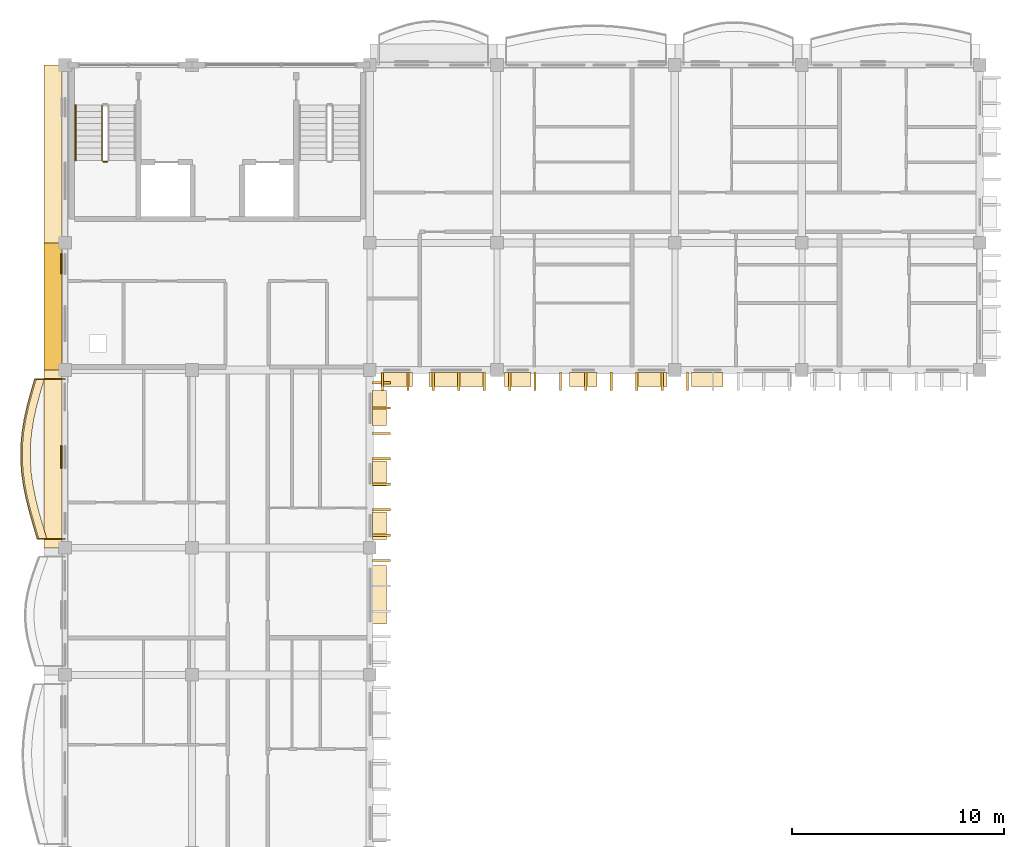
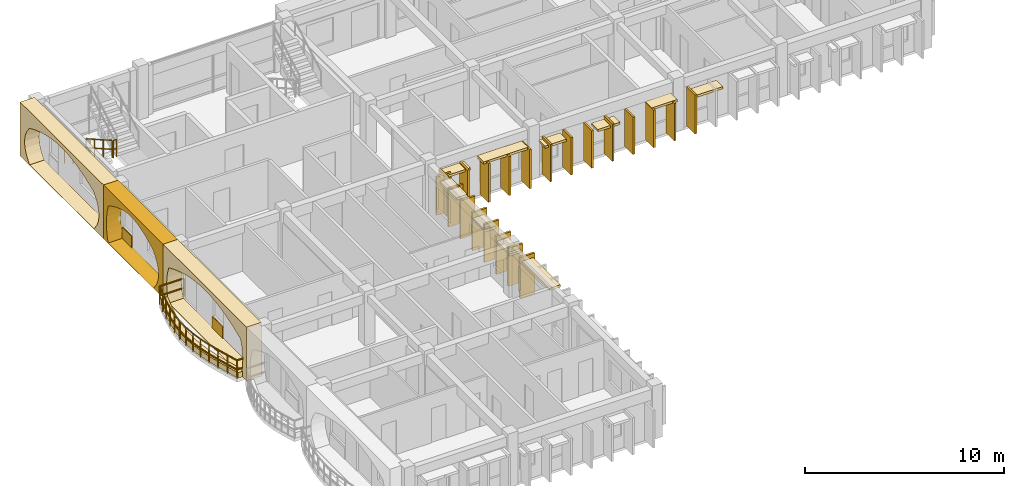
# One storey, part 42 of 59: 37 coverings, 4 railings.
"""IFC4 building model written with IfcOpenShell, lengths in metres."""

from ifc_helpers import new_model, si_unit, direction, frame, origin, origin_2d, place, context, subcontext, project, spatial, polyline, rectangle, outline, extrude, material, layer, layer_set, type_object, element, save


model = new_model("IFC4")

# Units and contexts
model_context = context("Model", 3, precision=1e-05, world=origin(), true_north=direction((0.0, 1.0)))
body_context = subcontext(model_context, "Body", "Model", "MODEL_VIEW")
ifc_project = project(units=[si_unit("LENGTHUNIT", "METRE"), si_unit("AREAUNIT", "SQUARE_METRE"), si_unit("VOLUMEUNIT", "CUBIC_METRE"), si_unit("PLANEANGLEUNIT", "RADIAN"), si_unit("MASSUNIT", "GRAM", prefix="KILO"), si_unit("THERMODYNAMICTEMPERATUREUNIT", "KELVIN")], contexts=[model_context])

# Site, building, storey
site_placement = place(None, origin())
site = spatial("IfcSite", under=ifc_project, at=site_placement, CompositionType="ELEMENT")
building_placement = place(site_placement, origin())
building = spatial("IfcBuilding", under=site, at=building_placement, Name="Thalorik Housing Commons", CompositionType="ELEMENT")
storey_placement = place(building_placement, frame((0.0, 0.0, 27.89990234375)))
storey = spatial("IfcBuildingStorey", under=building, at=storey_placement, Name="L08", CompositionType="ELEMENT", Elevation=27.89990234375)

# Coverings
ifc_material_1 = material(Name="Cobalt blue glazed ceramic facade tile panel", Category="masonry")
ifc_layer_1 = layer(ifc_material_1, 0.06005859375, Name="Cobalt blue glazed ceramic facade tile panel", Category="masonry")
ifc_layer_set_1 = layer_set([ifc_layer_1], Name="Cobalt blue glazed ceramic facade tile panel")
covering_type_1 = type_object("IfcCoveringType", Name="ARC-CLD-BLU-60", PredefinedType="CLADDING", material=ifc_layer_set_1)
covering_1_placement = place(storey_placement, frame((8.235107421875, 114.205078125, 0.05029296875), z_axis=(0.0, 0.0, 1.0), x_axis=(0.0, -1.0, 0.0)))
element("IfcCovering", 1, at=covering_1_placement, inside=storey, type_object=covering_type_1, Name="L08 De Stijl Recessed Window Spandrel 866", PredefinedType="CLADDING", context=body_context, shape_type="SweptSolid", body=[
    extrude(rectangle(XDim=0.949951171875, YDim=0.06005859375, at=origin_2d()), origin(), (0.0, 0.0, 1.0), 0.699951171875),
])
ifc_material_2 = material(Name="Precast concrete C40/50", Category="concrete")
ifc_layer_2 = layer(ifc_material_2, 0.85009765625, Name="Precast concrete C40/50", Category="concrete")
ifc_layer_set_2 = layer_set([ifc_layer_2], Name="Precast concrete C40/50")
covering_type_2 = type_object("IfcCoveringType", Name="ARC-CLD-CUSH-850", PredefinedType="CLADDING", material=ifc_layer_set_2)
covering_2_placement = place(storey_placement, frame((7.844970703125, 119.39990234375, 0.0), z_axis=(0.0, 0.0, 1.0), x_axis=(0.0, -1.0, 0.0)))
element("IfcCovering", 2, at=covering_2_placement, inside=storey, type_object=covering_type_2, Name="L08 White Precast Curved Cushion Bay Frame 863", PredefinedType="CLADDING", context=body_context, shape_type="SweptSolid", body=[
    extrude(outline(polyline([(-4.199951171875, 0.0), (4.199951171875, 0.0), (4.199951171875, 3.300048828125), (-4.199951171875, 3.300048828125), (-4.199951171875, 0.0)]), holes=[polyline([(3.239990234375, 0.02490234375), (3.523193359375, 0.399169921875), (3.693359375, 0.773193359375), (3.75, 1.1474609375), (3.693359375, 1.521728515625), (3.523193359375, 1.895751953125), (3.239990234375, 2.27001953125), (2.699951171875, 2.50439453125), (2.159912109375, 2.6884765625), (1.6201171875, 2.837646484375), (1.080078125, 2.948486328125), (0.5400390625, 3.016845703125), (0.0, 3.0400390625), (-0.5400390625, 3.016845703125), (-1.080078125, 2.948486328125), (-1.6201171875, 2.837646484375), (-2.159912109375, 2.6884765625), (-2.699951171875, 2.50439453125), (-3.239990234375, 2.27001953125), (-3.523193359375, 1.895751953125), (-3.693359375, 1.521728515625), (-3.75, 1.1474609375), (-3.693359375, 0.773193359375), (-3.523193359375, 0.399169921875), (-3.239990234375, 0.02490234375), (3.239990234375, 0.02490234375)])]), frame((0.0, 0.425048828125, 0.0), z_axis=(0.0, -1.0, 0.0), x_axis=(1.0, 0.0, 0.0)), (0.0, 0.0, 1.0), 0.85009765625),
])
covering_3_placement = place(storey_placement, frame((7.844970703125, 112.199951171875, 0.0), z_axis=(0.0, 0.0, 1.0), x_axis=(0.0, -1.0, 0.0)))
element("IfcCovering", 3, at=covering_3_placement, inside=storey, type_object=covering_type_2, Name="L08 White Precast Curved Cushion Bay Frame 865", PredefinedType="CLADDING", context=body_context, shape_type="SweptSolid", body=[
    extrude(outline(polyline([(-3.0, 0.0), (3.0, 0.0), (3.0, 3.300048828125), (-3.0, 3.300048828125), (-3.0, 0.0)]), holes=[polyline([(2.0400390625, 0.02490234375), (2.3232421875, 0.40087890625), (2.493408203125, 0.776611328125), (2.550048828125, 1.152587890625), (2.493408203125, 1.5283203125), (2.3232421875, 1.904296875), (2.0400390625, 2.280029296875), (1.6591796875, 2.51123046875), (1.2783203125, 2.693115234375), (0.8974609375, 2.840087890625), (0.5166015625, 2.94970703125), (0.1357421875, 3.01708984375), (-0.2451171875, 3.0400390625), (-0.625732421875, 3.01708984375), (-1.006591796875, 2.94970703125), (-1.387451171875, 2.840087890625), (-1.768310546875, 2.693115234375), (-2.149169921875, 2.51123046875), (-2.530029296875, 2.280029296875), (-2.629150390625, 1.904296875), (-2.688720703125, 1.5283203125), (-2.70849609375, 1.152587890625), (-2.688720703125, 0.776611328125), (-2.629150390625, 0.40087890625), (-2.530029296875, 0.02490234375), (2.0400390625, 0.02490234375)])]), frame((0.0, 0.425048828125, 0.0), z_axis=(0.0, -1.0, 0.0), x_axis=(1.0, 0.0, 0.0)), (0.0, 0.0, 1.0), 0.85009765625),
])
covering_4_placement = place(storey_placement, frame((7.844970703125, 105.0, 0.0), z_axis=(0.0, 0.0, 1.0), x_axis=(0.0, -1.0, 0.0)))
element("IfcCovering", 4, at=covering_4_placement, inside=storey, type_object=covering_type_2, Name="L08 White Precast Curved Cushion Bay Frame 867", PredefinedType="CLADDING", context=body_context, shape_type="SweptSolid", body=[
    extrude(outline(polyline([(-4.199951171875, 0.0), (4.199951171875, 0.0), (4.199951171875, 3.300048828125), (-4.199951171875, 3.300048828125), (-4.199951171875, 0.0)]), holes=[polyline([(3.58251953125, 0.02490234375), (3.712890625, 0.387451171875), (3.791015625, 0.75), (3.817138671875, 1.112548828125), (3.791015625, 1.47509765625), (3.712890625, 1.83740234375), (3.58251953125, 2.199951171875), (2.9814453125, 2.455810546875), (2.38037109375, 2.656494140625), (1.779296875, 2.819091796875), (1.17822265625, 2.940185546875), (0.577392578125, 3.014892578125), (-0.023681640625, 3.0400390625), (-0.624755859375, 3.014892578125), (-1.225830078125, 2.940185546875), (-1.826904296875, 2.819091796875), (-2.427978515625, 2.656494140625), (-3.029052734375, 2.455810546875), (-3.6298828125, 2.199951171875), (-3.750244140625, 1.83740234375), (-3.822509765625, 1.47509765625), (-3.8466796875, 1.112548828125), (-3.822509765625, 0.75), (-3.750244140625, 0.387451171875), (-3.6298828125, 0.02490234375), (3.58251953125, 0.02490234375)])]), frame((0.0, 0.425048828125, 0.0), z_axis=(0.0, -1.0, 0.0), x_axis=(1.0, 0.0, 0.0)), (0.0, 0.0, 1.0), 0.85009765625),
])
ifc_layer_3 = layer(ifc_material_2, 0.85009765625, Name="Precast concrete C40/50", Category="concrete")
ifc_layer_set_3 = layer_set([ifc_layer_3], Name="Precast concrete C40/50")
covering_type_3 = type_object("IfcCoveringType", Name="ARC-CLD-FIN-850", PredefinedType="CLADDING", material=ifc_layer_set_3)
for number, where, z_axis, x_axis, name in (
    (5, (23.39990234375, 108.64501953125, 0.0400390625), (0.0, 0.0, 1.0), (1.0, 0.0, 0.0), "L08 Courtyard Precast Vertical Brise-Soleil Fin 804"),
    (6, (24.60009765625, 108.64501953125, 0.0400390625), (0.0, 0.0, 1.0), (1.0, 0.0, 0.0), "L08 Courtyard Precast Vertical Brise-Soleil Fin 805"),
    (7, (25.800048828125, 108.64501953125, 0.0400390625), (0.0, 0.0, 1.0), (1.0, 0.0, 0.0), "L08 Courtyard Precast Vertical Brise-Soleil Fin 806"),
    (8, (27.0, 108.64501953125, 0.0400390625), (0.0, 0.0, 1.0), (1.0, 0.0, 0.0), "L08 Courtyard Precast Vertical Brise-Soleil Fin 807"),
    (9, (28.199951171875, 108.64501953125, 0.0400390625), (0.0, 0.0, 1.0), (1.0, 0.0, 0.0), "L08 Courtyard Precast Vertical Brise-Soleil Fin 808"),
):
    element("IfcCovering", number, at=place(storey_placement, frame(where, z_axis=z_axis, x_axis=x_axis)), inside=storey, type_object=covering_type_3, Name=name, PredefinedType="CLADDING", context=body_context, shape_type="SweptSolid", body=[
        extrude(rectangle(XDim=0.110107421875, YDim=0.85009765625, at=origin_2d()), origin(), (0.0, 0.0, 1.0), 2.39501953125),
    ])
for number, where, z_axis, x_axis, name in (
    (10, (29.39990234375, 108.64501953125, 0.0400390625), (0.0, 0.0, 1.0), (1.0, 0.0, 0.0), "L08 Courtyard Precast Vertical Brise-Soleil Fin 811"),
    (11, (30.60009765625, 108.64501953125, 0.0400390625), (0.0, 0.0, 1.0), (1.0, 0.0, 0.0), "L08 Courtyard Precast Vertical Brise-Soleil Fin 812"),
    (12, (31.800048828125, 108.64501953125, 0.0400390625), (0.0, 0.0, 1.0), (1.0, 0.0, 0.0), "L08 Courtyard Precast Vertical Brise-Soleil Fin 813"),
    (13, (33.0, 108.64501953125, 0.0400390625), (0.0, 0.0, 1.0), (1.0, 0.0, 0.0), "L08 Courtyard Precast Vertical Brise-Soleil Fin 814"),
    (14, (34.199951171875, 108.64501953125, 0.0400390625), (0.0, 0.0, 1.0), (1.0, 0.0, 0.0), "L08 Courtyard Precast Vertical Brise-Soleil Fin 815"),
    (15, (35.39990234375, 108.64501953125, 0.0400390625), (0.0, 0.0, 1.0), (1.0, 0.0, 0.0), "L08 Courtyard Precast Vertical Brise-Soleil Fin 816"),
    (16, (36.60009765625, 108.64501953125, 0.0400390625), (0.0, 0.0, 1.0), (1.0, 0.0, 0.0), "L08 Courtyard Precast Vertical Brise-Soleil Fin 817"),
):
    element("IfcCovering", number, at=place(storey_placement, frame(where, z_axis=z_axis, x_axis=x_axis)), inside=storey, type_object=covering_type_3, Name=name, PredefinedType="CLADDING", context=body_context, shape_type="SweptSolid", body=[
        extrude(rectangle(XDim=0.110107421875, YDim=0.85009765625, at=origin_2d()), origin(), (0.0, 0.0, 1.0), 2.294921875),
    ])
covering_5_placement = place(storey_placement, frame((37.800048828125, 108.64501953125, 0.0400390625), z_axis=(0.0, 0.0, 1.0), x_axis=(1.0, 0.0, 0.0)))
element("IfcCovering", 17, at=covering_5_placement, inside=storey, type_object=covering_type_3, Name="L08 Courtyard Precast Vertical Brise-Soleil Fin 821", PredefinedType="CLADDING", context=body_context, shape_type="SweptSolid", body=[
    extrude(rectangle(XDim=0.110107421875, YDim=0.85009765625, at=origin_2d()), origin(), (0.0, 0.0, 1.0), 2.39501953125),
])
covering_6_placement = place(storey_placement, frame((23.35498046875, 100.199951171875, 0.0400390625), z_axis=(0.0, 0.0, 1.0), x_axis=(0.0, 1.0, 0.0)))
element("IfcCovering", 18, at=covering_6_placement, inside=storey, type_object=covering_type_3, Name="L08 Courtyard Precast Vertical Brise-Soleil Fin 904", PredefinedType="CLADDING", context=body_context, shape_type="SweptSolid", body=[
    extrude(rectangle(XDim=0.110107421875, YDim=0.85009765625, at=origin_2d()), origin(), (0.0, 0.0, 1.0), 2.4951171875),
])
for number, where, z_axis, x_axis, name in (
    (19, (23.35498046875, 101.39990234375, 0.0400390625), (0.0, 0.0, 1.0), (0.0, 1.0, 0.0), "L08 Courtyard Precast Vertical Brise-Soleil Fin 907"),
    (20, (23.35498046875, 102.60009765625, 0.0400390625), (0.0, 0.0, 1.0), (0.0, 1.0, 0.0), "L08 Courtyard Precast Vertical Brise-Soleil Fin 908"),
    (21, (23.35498046875, 103.800048828125, 0.0400390625), (0.0, 0.0, 1.0), (0.0, 1.0, 0.0), "L08 Courtyard Precast Vertical Brise-Soleil Fin 909"),
    (22, (23.35498046875, 105.0, 0.0400390625), (0.0, 0.0, 1.0), (0.0, 1.0, 0.0), "L08 Courtyard Precast Vertical Brise-Soleil Fin 910"),
    (23, (23.35498046875, 106.199951171875, 0.0400390625), (0.0, 0.0, 1.0), (0.0, 1.0, 0.0), "L08 Courtyard Precast Vertical Brise-Soleil Fin 911"),
    (24, (23.35498046875, 107.39990234375, 0.0400390625), (0.0, 0.0, 1.0), (0.0, 1.0, 0.0), "L08 Courtyard Precast Vertical Brise-Soleil Fin 912"),
    (25, (23.35498046875, 108.60009765625, 0.0400390625), (0.0, 0.0, 1.0), (0.0, 1.0, 0.0), "L08 Courtyard Precast Vertical Brise-Soleil Fin 913"),
):
    element("IfcCovering", number, at=place(storey_placement, frame(where, z_axis=z_axis, x_axis=x_axis)), inside=storey, type_object=covering_type_3, Name=name, PredefinedType="CLADDING", context=body_context, shape_type="SweptSolid", body=[
        extrude(rectangle(XDim=0.110107421875, YDim=0.85009765625, at=origin_2d()), origin(), (0.0, 0.0, 1.0), 2.344970703125),
    ])
ifc_layer_4 = layer(ifc_material_2, 0.64990234375, Name="Precast concrete C40/50", Category="concrete")
ifc_layer_set_4 = layer_set([ifc_layer_4], Name="Precast concrete C40/50")
covering_type_4 = type_object("IfcCoveringType", Name="ARC-CLD-HOOD-650", PredefinedType="CLADDING", material=ifc_layer_set_4)
covering_7_placement = place(storey_placement, frame((24.070068359375, 108.7451171875, 2.240234375), z_axis=(0.0, 0.0, 1.0), x_axis=(1.0, 0.0, 0.0)))
element("IfcCovering", 26, at=covering_7_placement, inside=storey, type_object=covering_type_4, Name="L08 Courtyard Precast Window Sun-Hood 809", PredefinedType="CLADDING", context=body_context, shape_type="SweptSolid", body=[
    extrude(rectangle(XDim=1.489990234375, YDim=0.64990234375, at=origin_2d()), origin(), (0.0, 0.0, 1.0), 0.139892578125),
])
covering_8_placement = place(storey_placement, frame((26.8798828125, 108.7451171875, 2.3251953125), z_axis=(0.0, 0.0, 1.0), x_axis=(1.0, 0.0, 0.0)))
element("IfcCovering", 27, at=covering_8_placement, inside=storey, type_object=covering_type_4, Name="L08 Courtyard Precast Window Sun-Hood 810", PredefinedType="CLADDING", context=body_context, shape_type="SweptSolid", body=[
    extrude(rectangle(XDim=2.590087890625, YDim=0.64990234375, at=origin_2d()), origin(), (0.0, 0.0, 1.0), 0.139892578125),
])
covering_9_placement = place(storey_placement, frame((29.777587890625, 108.7451171875, 2.0400390625), z_axis=(0.0, 0.0, 1.0), x_axis=(1.0, 0.0, 0.0)))
element("IfcCovering", 28, at=covering_9_placement, inside=storey, type_object=covering_type_4, Name="L08 Courtyard Precast Window Sun-Hood 818", PredefinedType="CLADDING", context=body_context, shape_type="SweptSolid", body=[
    extrude(rectangle(XDim=1.239990234375, YDim=0.64990234375, at=origin_2d()), origin(), (0.0, 0.0, 1.0), 0.139892578125),
])
covering_10_placement = place(storey_placement, frame((32.87255859375, 108.7451171875, 1.990234375), z_axis=(0.0, 0.0, 1.0), x_axis=(1.0, 0.0, 0.0)))
element("IfcCovering", 29, at=covering_10_placement, inside=storey, type_object=covering_type_4, Name="L08 Courtyard Precast Window Sun-Hood 819", PredefinedType="CLADDING", context=body_context, shape_type="SweptSolid", body=[
    extrude(rectangle(XDim=1.2900390625, YDim=0.64990234375, at=origin_2d()), origin(), (0.0, 0.0, 1.0), 0.139892578125),
])
for number, where, z_axis, x_axis, name in (
    (30, (36.094970703125, 108.7451171875, 2.22509765625), (0.0, 0.0, 1.0), (1.0, 0.0, 0.0), "L08 Courtyard Precast Window Sun-Hood 820"),
    (31, (38.735107421875, 108.7451171875, 2.09033203125), (0.0, 0.0, 1.0), (1.0, 0.0, 0.0), "L08 Courtyard Precast Window Sun-Hood 826"),
):
    element("IfcCovering", number, at=place(storey_placement, frame(where, z_axis=z_axis, x_axis=x_axis)), inside=storey, type_object=covering_type_4, Name=name, PredefinedType="CLADDING", context=body_context, shape_type="SweptSolid", body=[
        extrude(rectangle(XDim=1.489990234375, YDim=0.64990234375, at=origin_2d()), origin(), (0.0, 0.0, 1.0), 0.139892578125),
    ])
covering_11_placement = place(storey_placement, frame((23.2548828125, 98.580078125, 2.2900390625), z_axis=(0.0, 0.0, 1.0), x_axis=(0.0, 1.0, 0.0)))
element("IfcCovering", 32, at=covering_11_placement, inside=storey, type_object=covering_type_4, Name="L08 Courtyard Precast Window Sun-Hood 906", PredefinedType="CLADDING", context=body_context, shape_type="SweptSolid", body=[
    extrude(rectangle(XDim=2.760009765625, YDim=0.64990234375, at=origin_2d()), origin(), (0.0, 0.0, 1.0), 0.139892578125),
])
covering_12_placement = place(storey_placement, frame((23.2548828125, 101.839599609375, 1.990234375), z_axis=(0.0, 0.0, 1.0), x_axis=(0.0, 1.0, 0.0)))
element("IfcCovering", 33, at=covering_12_placement, inside=storey, type_object=covering_type_4, Name="L08 Courtyard Precast Window Sun-Hood 914", PredefinedType="CLADDING", context=body_context, shape_type="SweptSolid", body=[
    extrude(rectangle(XDim=1.2900390625, YDim=0.64990234375, at=origin_2d()), origin(), (0.0, 0.0, 1.0), 0.139892578125),
])
covering_13_placement = place(storey_placement, frame((23.2548828125, 104.304443359375, 1.93994140625), z_axis=(0.0, 0.0, 1.0), x_axis=(0.0, 1.0, 0.0)))
element("IfcCovering", 34, at=covering_13_placement, inside=storey, type_object=covering_type_4, Name="L08 Courtyard Precast Window Sun-Hood 915", PredefinedType="CLADDING", context=body_context, shape_type="SweptSolid", body=[
    extrude(rectangle(XDim=1.18994140625, YDim=0.64990234375, at=origin_2d()), origin(), (0.0, 0.0, 1.0), 0.139892578125),
])
covering_14_placement = place(storey_placement, frame((23.2548828125, 107.394775390625, 2.169921875), z_axis=(0.0, 0.0, 1.0), x_axis=(0.0, 1.0, 0.0)))
element("IfcCovering", 35, at=covering_14_placement, inside=storey, type_object=covering_type_4, Name="L08 Courtyard Precast Window Sun-Hood 916", PredefinedType="CLADDING", context=body_context, shape_type="SweptSolid", body=[
    extrude(rectangle(XDim=1.659912109375, YDim=0.64990234375, at=origin_2d()), origin(), (0.0, 0.0, 1.0), 0.139892578125),
])
ifc_material_3 = material(Name="Mineral ochre architectural terracotta panel", Category="masonry")
ifc_layer_5 = layer(ifc_material_3, 0.06494140625, Name="Mineral ochre architectural terracotta panel", Category="masonry")
ifc_layer_set_5 = layer_set([ifc_layer_5], Name="Mineral ochre architectural terracotta panel")
covering_type_5 = type_object("IfcCoveringType", Name="ARC-CLD-YEL-65", PredefinedType="CLADDING", material=ifc_layer_set_5)
covering_15_placement = place(storey_placement, frame((8.232421875, 105.08740234375, 0.05029296875), z_axis=(0.0, 0.0, 1.0), x_axis=(0.0, -1.0, 0.0)))
element("IfcCovering", 36, at=covering_15_placement, inside=storey, type_object=covering_type_5, Name="L08 De Stijl Recessed Window Spandrel 868", PredefinedType="CLADDING", context=body_context, shape_type="SweptSolid", body=[
    extrude(rectangle(XDim=1.050048828125, YDim=0.06494140625, at=origin_2d()), origin(), (0.0, 0.0, 1.0), 0.699951171875),
])
ifc_material_4 = material(Name="Planted vegetated substrate and terracotta trough", Category="masonry")
ifc_layer_6 = layer(ifc_material_4, 0.340087890625, Name="Planted vegetated substrate and terracotta trough", Category="masonry")
ifc_layer_set_6 = layer_set([ifc_layer_6], Name="Planted vegetated substrate and terracotta trough")
covering_type_6 = type_object("IfcCoveringType", Name="ARC-COV-PLANTER", PredefinedType="USERDEFINED", material=ifc_layer_set_6)
covering_16_placement = place(storey_placement, origin())
element("IfcCovering", 37, at=covering_16_placement, inside=storey, type_object=covering_type_6, Name="L08 Balcony Slab-Edge Planted Trough 5377", ObjectType="PLANTER", PredefinedType="USERDEFINED", context=body_context, shape_type="SweptSolid", body=[
    extrude(outline(polyline([(7.0498046875, 108.780029296875), (6.864013671875, 108.14990234375), (6.6953125, 107.52001953125), (6.5546875, 106.889892578125), (6.451904296875, 106.260009765625), (6.39453125, 105.6298828125), (6.385986328125, 105.0), (6.4267578125, 104.3701171875), (6.51416015625, 103.739990234375), (6.64208984375, 103.110107421875), (6.80126953125, 102.47998046875), (6.98095703125, 101.85009765625), (7.16845703125, 101.219970703125), (7.54833984375, 101.219970703125), (7.36083984375, 101.85009765625), (7.18115234375, 102.47998046875), (7.02197265625, 103.110107421875), (6.894287109375, 103.739990234375), (6.806884765625, 104.3701171875), (6.765869140625, 105.0), (6.7744140625, 105.6298828125), (6.83203125, 106.260009765625), (6.9345703125, 106.889892578125), (7.0751953125, 107.52001953125), (7.244140625, 108.14990234375), (7.4296875, 108.780029296875), (7.0498046875, 108.780029296875)])), origin(), (0.0, 0.0, 1.0), 0.340087890625),
])

# Railings
ifc_material_5 = material(Name="Steel S355", Category="steel")
railing_type_1 = type_object("IfcRailingType", Name="ARC-RL-BAL-115", PredefinedType="BALUSTRADE", material=ifc_material_5)
railing_1_placement = place(storey_placement, frame((8.39990234375, 108.780029296875, 0.0)))
element("IfcRailing", 38, at=railing_1_placement, inside=storey, type_object=railing_type_1, Name="L08 Cushion Balcony Guardrail 61", PredefinedType="BALUSTRADE", context=body_context, shape_type="SweptSolid", body=[
    extrude(rectangle(XDim=0.050048828125, YDim=0.050048828125, at=origin_2d()), frame((0.0, 0.0, 1.125), z_axis=(-1.0, 0.0, 0.0), x_axis=(0.0, -1.0, 0.0)), (0.0, 0.0, 1.0), 1.420166015625),
    extrude(rectangle(XDim=0.050048828125, YDim=0.050048828125, at=origin_2d()), frame((0.0, 0.0, 0.5498046875), z_axis=(-1.0, 0.0, 0.0), x_axis=(0.0, -1.0, 0.0)), (0.0, 0.0, 1.0), 1.420166015625),
    extrude(rectangle(XDim=0.050048828125, YDim=0.050048828125, at=origin_2d()), frame((-1.420166015625, 0.0, 1.125), z_axis=(-0.282468142814, -0.959276679741, 0.0), x_axis=(0.959276679741, -0.282468142814, 0.0)), (0.0, 0.0, 1.0), 0.656982421875),
    extrude(rectangle(XDim=0.050048828125, YDim=0.050048828125, at=origin_2d()), frame((-1.420166015625, 0.0, 0.5498046875), z_axis=(-0.282468142814, -0.959276679741, 0.0), x_axis=(0.959276679741, -0.282468142814, 0.0)), (0.0, 0.0, 1.0), 0.656982421875),
    extrude(rectangle(XDim=0.050048828125, YDim=0.050048828125, at=origin_2d()), frame((-1.605712890625, -0.630126953125, 1.125), z_axis=(-0.259060423575, -0.965861116795, 0.0), x_axis=(0.965861116795, -0.259060423575, 0.0)), (0.0, 0.0, 1.0), 0.652099609375),
    extrude(rectangle(XDim=0.050048828125, YDim=0.050048828125, at=origin_2d()), frame((-1.605712890625, -0.630126953125, 0.5498046875), z_axis=(-0.259060423575, -0.965861116795, 0.0), x_axis=(0.965861116795, -0.259060423575, 0.0)), (0.0, 0.0, 1.0), 0.652099609375),
    extrude(rectangle(XDim=0.050048828125, YDim=0.050048828125, at=origin_2d()), frame((-1.774658203125, -1.260009765625, 1.125), z_axis=(-0.217811223718, -0.975990917387, 0.0), x_axis=(0.975990917387, -0.217811223718, 0.0)), (0.0, 0.0, 1.0), 0.6455078125),
    extrude(rectangle(XDim=0.050048828125, YDim=0.050048828125, at=origin_2d()), frame((-1.774658203125, -1.260009765625, 0.5498046875), z_axis=(-0.217811223718, -0.975990917387, 0.0), x_axis=(0.975990917387, -0.217811223718, 0.0)), (0.0, 0.0, 1.0), 0.6455078125),
    extrude(rectangle(XDim=0.050048828125, YDim=0.050048828125, at=origin_2d()), frame((-1.915283203125, -1.89013671875, 1.125), z_axis=(-0.160675602082, -0.987007269931, 0.0), x_axis=(0.987007269931, -0.160675602082, 0.0)), (0.0, 0.0, 1.0), 0.63818359375),
    extrude(rectangle(XDim=0.050048828125, YDim=0.050048828125, at=origin_2d()), frame((-1.915283203125, -1.89013671875, 0.5498046875), z_axis=(-0.160675602082, -0.987007269931, 0.0), x_axis=(0.987007269931, -0.160675602082, 0.0)), (0.0, 0.0, 1.0), 0.63818359375),
    extrude(rectangle(XDim=0.050048828125, YDim=0.050048828125, at=origin_2d()), frame((-2.017822265625, -2.52001953125, 1.125), z_axis=(-0.091057562518, -0.995845630762, 0.0), x_axis=(0.995845630762, -0.091057562518, 0.0)), (0.0, 0.0, 1.0), 0.6328125),
    extrude(rectangle(XDim=0.050048828125, YDim=0.050048828125, at=origin_2d()), frame((-2.017822265625, -2.52001953125, 0.5498046875), z_axis=(-0.091057562518, -0.995845630762, 0.0), x_axis=(0.995845630762, -0.091057562518, 0.0)), (0.0, 0.0, 1.0), 0.6328125),
    extrude(rectangle(XDim=0.050048828125, YDim=0.050048828125, at=origin_2d()), frame((-2.075439453125, -3.150146484375, 1.125), z_axis=(-0.013564643356, -0.999907995993, 0.0), x_axis=(0.999907995993, -0.013564643356, 0.0)), (0.0, 0.0, 1.0), 0.6298828125),
    extrude(rectangle(XDim=0.050048828125, YDim=0.050048828125, at=origin_2d()), frame((-2.075439453125, -3.150146484375, 0.5498046875), z_axis=(-0.013564643356, -0.999907995993, 0.0), x_axis=(0.999907995993, -0.013564643356, 0.0)), (0.0, 0.0, 1.0), 0.6298828125),
    extrude(rectangle(XDim=0.050048828125, YDim=0.050048828125, at=origin_2d()), frame((-2.083984375, -3.780029296875, 1.125), z_axis=(0.064593506601, -0.997911658868, 0.0), x_axis=(0.997911658868, 0.064593506601, 0.0)), (0.0, 0.0, 1.0), 0.631103515625),
    extrude(rectangle(XDim=0.050048828125, YDim=0.050048828125, at=origin_2d()), frame((-2.083984375, -3.780029296875, 0.5498046875), z_axis=(0.064593506601, -0.997911658868, 0.0), x_axis=(0.997911658868, 0.064593506601, 0.0)), (0.0, 0.0, 1.0), 0.631103515625),
    extrude(rectangle(XDim=0.050048828125, YDim=0.050048828125, at=origin_2d()), frame((-2.043212890625, -4.409912109375, 1.125), z_axis=(0.137390572843, -0.990516951139, 0.0), x_axis=(0.990516951139, 0.137390572843, 0.0)), (0.0, 0.0, 1.0), 0.63623046875),
    extrude(rectangle(XDim=0.050048828125, YDim=0.050048828125, at=origin_2d()), frame((-2.043212890625, -4.409912109375, 0.5498046875), z_axis=(0.137390572843, -0.990516951139, 0.0), x_axis=(0.990516951139, 0.137390572843, 0.0)), (0.0, 0.0, 1.0), 0.63623046875),
    extrude(rectangle(XDim=0.050048828125, YDim=0.050048828125, at=origin_2d()), frame((-1.955810546875, -5.0400390625, 1.125), z_axis=(0.19903712482, -0.979991950448, 0.0), x_axis=(0.979991950448, 0.19903712482, 0.0)), (0.0, 0.0, 1.0), 0.642822265625),
    extrude(rectangle(XDim=0.050048828125, YDim=0.050048828125, at=origin_2d()), frame((-1.955810546875, -5.0400390625, 0.5498046875), z_axis=(0.19903712482, -0.979991950448, 0.0), x_axis=(0.979991950448, 0.19903712482, 0.0)), (0.0, 0.0, 1.0), 0.642822265625),
    extrude(rectangle(XDim=0.050048828125, YDim=0.050048828125, at=origin_2d()), frame((-1.827880859375, -5.669921875, 1.125), z_axis=(0.244921349705, -0.969542950291, 0.0), x_axis=(0.969542950291, 0.244921349705, 0.0)), (0.0, 0.0, 1.0), 0.64990234375),
    extrude(rectangle(XDim=0.050048828125, YDim=0.050048828125, at=origin_2d()), frame((-1.827880859375, -5.669921875, 0.5498046875), z_axis=(0.244921349705, -0.969542950291, 0.0), x_axis=(0.969542950291, 0.244921349705, 0.0)), (0.0, 0.0, 1.0), 0.64990234375),
    extrude(rectangle(XDim=0.050048828125, YDim=0.050048828125, at=origin_2d()), frame((-1.668701171875, -6.300048828125, 1.125), z_axis=(0.274327279801, -0.961636388432, 0.0), x_axis=(0.961636388432, 0.274327279801, 0.0)), (0.0, 0.0, 1.0), 0.655029296875),
    extrude(rectangle(XDim=0.050048828125, YDim=0.050048828125, at=origin_2d()), frame((-1.668701171875, -6.300048828125, 0.5498046875), z_axis=(0.274327279801, -0.961636388432, 0.0), x_axis=(0.961636388432, 0.274327279801, 0.0)), (0.0, 0.0, 1.0), 0.655029296875),
    extrude(rectangle(XDim=0.050048828125, YDim=0.050048828125, at=origin_2d()), frame((-1.489013671875, -6.929931640625, 1.125), z_axis=(0.285200799147, -0.958467789843, 0.0), x_axis=(0.958467789843, 0.285200799147, 0.0)), (0.0, 0.0, 1.0), 0.657470703125),
    extrude(rectangle(XDim=0.050048828125, YDim=0.050048828125, at=origin_2d()), frame((-1.489013671875, -6.929931640625, 0.5498046875), z_axis=(0.285200799147, -0.958467789843, 0.0), x_axis=(0.958467789843, 0.285200799147, 0.0)), (0.0, 0.0, 1.0), 0.657470703125),
    extrude(rectangle(XDim=0.050048828125, YDim=0.050048828125, at=origin_2d()), frame((-1.301513671875, -7.56005859375, 1.125), z_axis=(1.0, 0.0, 0.0), x_axis=(0.0, 1.0, 0.0)), (0.0, 0.0, 1.0), 1.301513671875),
    extrude(rectangle(XDim=0.050048828125, YDim=0.050048828125, at=origin_2d()), frame((-1.301513671875, -7.56005859375, 0.5498046875), z_axis=(1.0, 0.0, 0.0), x_axis=(0.0, 1.0, 0.0)), (0.0, 0.0, 1.0), 1.301513671875),
    extrude(rectangle(XDim=0.0419921875, YDim=0.0419921875, at=origin_2d()), origin(), (0.0, 0.0, 1.0), 1.099853515625),
    extrude(rectangle(XDim=0.0419921875, YDim=0.0419921875, at=origin_2d()), frame((-1.420166015625, 0.0, 0.0)), (0.0, 0.0, 1.0), 1.099853515625),
    extrude(rectangle(XDim=0.0419921875, YDim=0.0419921875, at=origin_2d()), frame((-1.605712890625, -0.630126953125, 0.0)), (0.0, 0.0, 1.0), 1.099853515625),
    extrude(rectangle(XDim=0.0419921875, YDim=0.0419921875, at=origin_2d()), frame((-1.774658203125, -1.260009765625, 0.0)), (0.0, 0.0, 1.0), 1.099853515625),
    extrude(rectangle(XDim=0.0419921875, YDim=0.0419921875, at=origin_2d()), frame((-1.915283203125, -1.89013671875, 0.0)), (0.0, 0.0, 1.0), 1.099853515625),
    extrude(rectangle(XDim=0.0419921875, YDim=0.0419921875, at=origin_2d()), frame((-2.017822265625, -2.52001953125, 0.0)), (0.0, 0.0, 1.0), 1.099853515625),
    extrude(rectangle(XDim=0.0419921875, YDim=0.0419921875, at=origin_2d()), frame((-2.075439453125, -3.150146484375, 0.0)), (0.0, 0.0, 1.0), 1.099853515625),
    extrude(rectangle(XDim=0.0419921875, YDim=0.0419921875, at=origin_2d()), frame((-2.083984375, -3.780029296875, 0.0)), (0.0, 0.0, 1.0), 1.099853515625),
    extrude(rectangle(XDim=0.0419921875, YDim=0.0419921875, at=origin_2d()), frame((-2.043212890625, -4.409912109375, 0.0)), (0.0, 0.0, 1.0), 1.099853515625),
    extrude(rectangle(XDim=0.0419921875, YDim=0.0419921875, at=origin_2d()), frame((-1.955810546875, -5.0400390625, 0.0)), (0.0, 0.0, 1.0), 1.099853515625),
    extrude(rectangle(XDim=0.0419921875, YDim=0.0419921875, at=origin_2d()), frame((-1.827880859375, -5.669921875, 0.0)), (0.0, 0.0, 1.0), 1.099853515625),
    extrude(rectangle(XDim=0.0419921875, YDim=0.0419921875, at=origin_2d()), frame((-1.668701171875, -6.300048828125, 0.0)), (0.0, 0.0, 1.0), 1.099853515625),
    extrude(rectangle(XDim=0.0419921875, YDim=0.0419921875, at=origin_2d()), frame((-1.489013671875, -6.929931640625, 0.0)), (0.0, 0.0, 1.0), 1.099853515625),
    extrude(rectangle(XDim=0.0419921875, YDim=0.0419921875, at=origin_2d()), frame((-1.301513671875, -7.56005859375, 0.0)), (0.0, 0.0, 1.0), 1.099853515625),
    extrude(rectangle(XDim=0.0419921875, YDim=0.0419921875, at=origin_2d()), frame((0.0, -7.56005859375, 0.0)), (0.0, 0.0, 1.0), 1.099853515625),
])
railing_type_2 = type_object("IfcRailingType", Name="ARC-RL-STR-GRD110", PredefinedType="GUARDRAIL", material=ifc_material_5)
railing_2_placement = place(storey_placement, frame((10.14990234375, 121.699951171875, 0.1650390625)))
element("IfcRailing", 39, at=railing_2_placement, inside=storey, type_object=railing_type_2, Name="L08 ST-A1 stair guard 1", PredefinedType="GUARDRAIL", context=body_context, shape_type="SweptSolid", body=[
    extrude(rectangle(XDim=0.048095703125, YDim=0.048095703125, at=origin_2d()), frame((0.0, 0.0, 1.076171875), z_axis=(0.0, -0.869137319866, 0.494570843475), x_axis=(1.0, 0.0, 0.0)), (0.0, 0.0, 1.0), 3.0029296875),
    extrude(rectangle(XDim=0.048095703125, YDim=0.048095703125, at=origin_2d()), frame((0.0, 0.0, 0.52587890625), z_axis=(0.0, -0.869137319866, 0.494570843475), x_axis=(1.0, 0.0, 0.0)), (0.0, 0.0, 1.0), 3.0029296875),
    extrude(rectangle(XDim=0.0419921875, YDim=0.0419921875, at=origin_2d()), origin(), (0.0, 0.0, 1.0), 1.052001953125),
    extrude(rectangle(XDim=0.0419921875, YDim=0.0419921875, at=origin_2d()), frame((0.0, -0.869873046875, 0.4951171875)), (0.0, 0.0, 1.0), 1.052001953125),
    extrude(rectangle(XDim=0.0419921875, YDim=0.0419921875, at=origin_2d()), frame((0.0, -1.739990234375, 0.989990234375)), (0.0, 0.0, 1.0), 1.052001953125),
    extrude(rectangle(XDim=0.0419921875, YDim=0.0419921875, at=origin_2d()), frame((0.0, -2.60986328125, 1.485107421875)), (0.0, 0.0, 1.0), 1.052001953125),
])
railing_3_placement = place(storey_placement, frame((10.199951171875, 119.0400390625, 1.650146484375)))
element("IfcRailing", 40, at=railing_3_placement, inside=storey, type_object=railing_type_2, Name="L08 ST-A1 stair guard 2", PredefinedType="GUARDRAIL", context=body_context, shape_type="SweptSolid", body=[
    extrude(rectangle(XDim=0.048095703125, YDim=0.048095703125, at=origin_2d()), frame((0.0, 0.0, 1.076171875), z_axis=(1.0, 0.0, 0.0), x_axis=(0.0, 1.0, 0.0)), (0.0, 0.0, 1.0), 0.199951171875),
    extrude(rectangle(XDim=0.048095703125, YDim=0.048095703125, at=origin_2d()), frame((0.0, 0.0, 0.52587890625), z_axis=(1.0, 0.0, 0.0), x_axis=(0.0, 1.0, 0.0)), (0.0, 0.0, 1.0), 0.199951171875),
    extrude(rectangle(XDim=0.0419921875, YDim=0.0419921875, at=origin_2d()), origin(), (0.0, 0.0, 1.0), 1.052001953125),
    extrude(rectangle(XDim=0.0419921875, YDim=0.0419921875, at=origin_2d()), frame((0.199951171875, 0.0, 0.0)), (0.0, 0.0, 1.0), 1.052001953125),
])
railing_type_3 = type_object("IfcRailingType", Name="ARC-RL-STR-HR092", PredefinedType="HANDRAIL", material=ifc_material_5)
railing_4_placement = place(storey_placement, frame((8.89990234375, 121.699951171875, 0.1650390625)))
element("IfcRailing", 41, at=railing_4_placement, inside=storey, type_object=railing_type_3, Name="L08 ST-A1 stair handrail 1", PredefinedType="HANDRAIL", context=body_context, shape_type="SweptSolid", body=[
    extrude(rectangle(XDim=0.048095703125, YDim=0.048095703125, at=origin_2d()), frame((0.0, 0.0, 0.89599609375), z_axis=(0.0, -0.869137319866, 0.494570843475), x_axis=(1.0, 0.0, 0.0)), (0.0, 0.0, 1.0), 3.0029296875),
    extrude(rectangle(XDim=0.0419921875, YDim=0.0419921875, at=origin_2d()), origin(), (0.0, 0.0, 1.0), 0.871826171875),
    extrude(rectangle(XDim=0.0419921875, YDim=0.0419921875, at=origin_2d()), frame((0.0, -0.869873046875, 0.4951171875)), (0.0, 0.0, 1.0), 0.871826171875),
    extrude(rectangle(XDim=0.0419921875, YDim=0.0419921875, at=origin_2d()), frame((0.0, -1.739990234375, 0.989990234375)), (0.0, 0.0, 1.0), 0.871826171875),
    extrude(rectangle(XDim=0.0419921875, YDim=0.0419921875, at=origin_2d()), frame((0.0, -2.60986328125, 1.485107421875)), (0.0, 0.0, 1.0), 0.871826171875),
])

save(model, "model.ifc")
